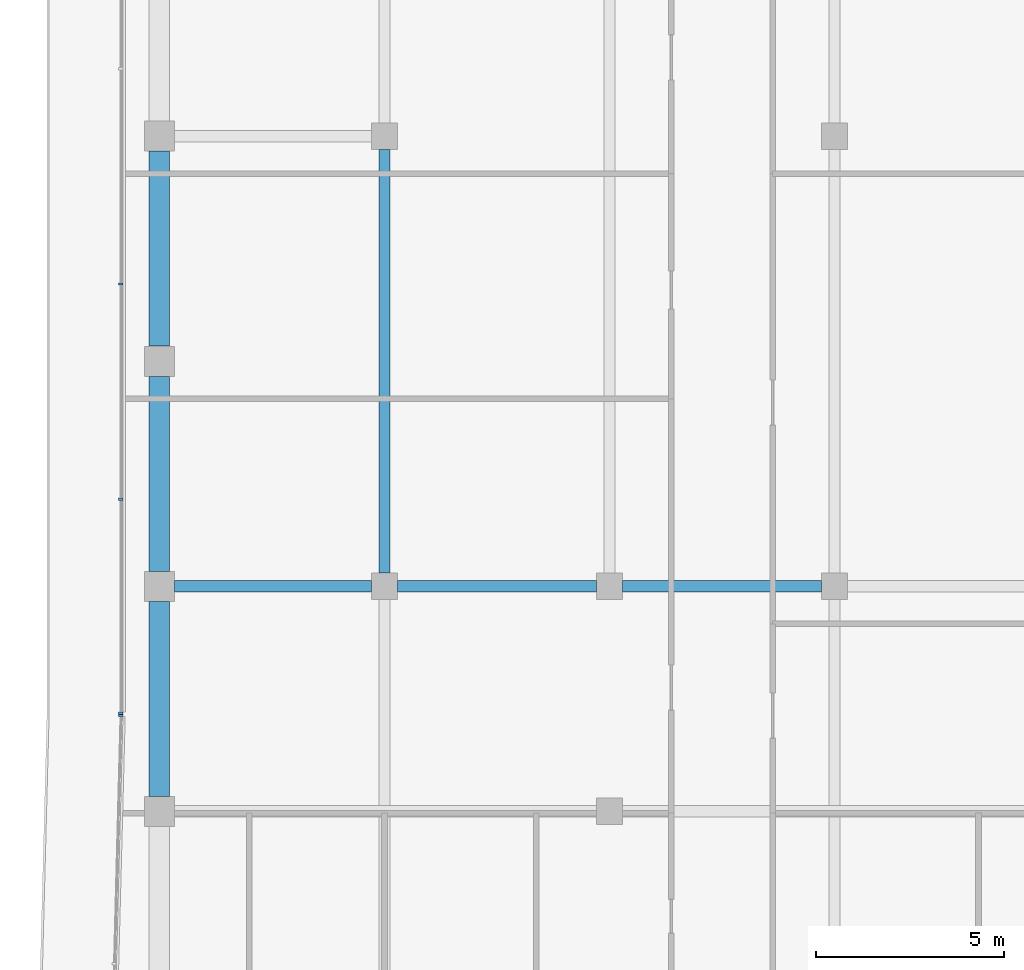
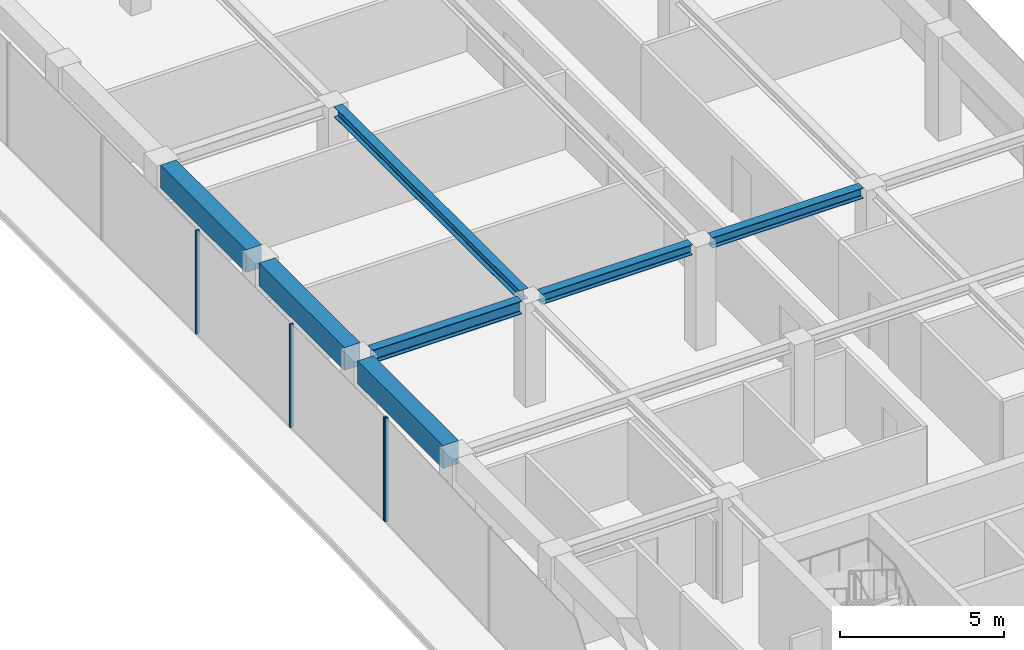
# One storey, part 7 of 19: 7 beams, 4 members, 2 elements without a shape of their own.
"""IFC4 building model written with IfcOpenShell, lengths in metres."""

import ifcopenshell
import ifcopenshell.guid

model = None  # the IFC model being written
_history = None  # IfcOwnerHistory: only IFC2X3 demands one
_inside = {}  # id of a spatial element -> (the spatial element, [elements in it])
_under = {}  # id of a project, library or spatial element -> (it, [spatial elements below it])
_declared = {}  # id of a project -> (the project, [libraries it declares])
_typed = {}  # id of a type object -> (the type object, [elements of that type])
_made_of = {}  # id of a material, layer set ... -> (it, [elements and type objects made of it])


def new_model(schema):
    """Start an empty IFC model of exactly this schema.

    Asked for "IFC4X3", IfcOpenShell would pick the latest addendum, in which some entities
    have other attributes; the version numbers below select the first issue.
    IFC2X3 requires an IfcOwnerHistory on every rooted entity: one is made here for all.
    """
    global model, _history
    if schema == "IFC4X3":
        model = ifcopenshell.file(schema_version=(4, 3, 0, 0))
    else:
        model = ifcopenshell.file(schema=schema)
    _inside.clear()
    _under.clear()
    _declared.clear()
    _typed.clear()
    _made_of.clear()
    _history = None
    if model.schema == "IFC2X3":
        org = make("IfcOrganization", Name="unknown")
        user = make(
            "IfcPersonAndOrganization",
            ThePerson=make("IfcPerson", FamilyName="unknown"),
            TheOrganization=org,
        )
        app = make(
            "IfcApplication",
            ApplicationDeveloper=org,
            Version="unknown",
            ApplicationFullName="unknown",
            ApplicationIdentifier="unknown",
        )
        _history = make(
            "IfcOwnerHistory",
            OwningUser=user,
            OwningApplication=app,
            ChangeAction="ADDED",
            CreationDate=0,
        )
    return model


def make(cls, **values):
    """One entity of the class cls with the attributes given. An attribute that is None is left unset."""
    return model.create_entity(
        cls, **{name: value for name, value in values.items() if value is not None}
    )


def rooted(cls, **values):
    """An entity with a GlobalId (a new one), such as an element, a storey or a relation."""
    return make(cls, GlobalId=ifcopenshell.guid.new(), OwnerHistory=_history, **values)


def si_unit(unit_type, name, prefix=None):
    """IfcSIUnit, for example si_unit("LENGTHUNIT", "METRE", prefix="MILLI")."""
    return make("IfcSIUnit", UnitType=unit_type, Prefix=prefix, Name=name)


def assignment(units):
    """IfcUnitAssignment: the units of a project."""
    return None if units is None else make("IfcUnitAssignment", Units=units)


def point(xyz):
    """IfcCartesianPoint."""
    return None if xyz is None else make("IfcCartesianPoint", Coordinates=xyz)


def direction(xyz):
    """IfcDirection."""
    return None if xyz is None else make("IfcDirection", DirectionRatios=xyz)


def frame(location, z_axis=None, x_axis=None):
    """IfcAxis2Placement3D, a coordinate frame: its origin and axes. An axis left out is left unset."""
    return make(
        "IfcAxis2Placement3D",
        Location=point(location),
        Axis=direction(z_axis),
        RefDirection=direction(x_axis),
    )


def frame_2d(location, x_axis=None):
    """IfcAxis2Placement2D, a coordinate frame in the plane: its origin and x axis."""
    return make(
        "IfcAxis2Placement2D", Location=point(location), RefDirection=direction(x_axis)
    )


def origin():
    """The frame at (0, 0, 0) with its axes left unset."""
    return frame((0.0, 0.0, 0.0))


def origin_2d():
    """The frame at (0, 0) in the plane with its x axis left unset."""
    return frame_2d((0.0, 0.0))


def place(relative_to, where):
    """IfcLocalPlacement: puts the frame where relative to a parent placement (None: the world)."""
    return make(
        "IfcLocalPlacement", PlacementRelTo=relative_to, RelativePlacement=where
    )


def context(
    kind, dimensions, precision=None, world=None, true_north=None, identifier=None
):
    """IfcGeometricRepresentationContext, for example the 3D "Model" context."""
    return make(
        "IfcGeometricRepresentationContext",
        ContextIdentifier=identifier,
        ContextType=kind,
        CoordinateSpaceDimension=dimensions,
        Precision=precision,
        WorldCoordinateSystem=world,
        TrueNorth=true_north,
    )


def subcontext(parent, identifier, kind, view, scale=None):
    """IfcGeometricRepresentationSubContext, for example "Body" below "Model"."""
    return make(
        "IfcGeometricRepresentationSubContext",
        ContextIdentifier=identifier,
        ContextType=kind,
        ParentContext=parent,
        TargetScale=scale,
        TargetView=view,
    )


def project(units=None, contexts=None):
    """IfcProject with its units and contexts."""
    return rooted(
        "IfcProject",
        Name="project",
        RepresentationContexts=contexts,
        UnitsInContext=assignment(units),
    )


def spatial(cls, under=None, at=None, **own):
    """A site, building, storey or space (cls), placed at a placement, below another one or the project."""
    s = rooted(cls, ObjectPlacement=at, **own)
    if under is not None:
        _under.setdefault(under.id(), (under, []))[1].append(s)
    return s


def profile(cls, at=None, kind="AREA", **sizes):
    """A parametric profile (cls). Its sizes go by their IFC names, for example OverallWidth=200.0."""
    return make(cls, ProfileType=kind, Position=at, **sizes)


def rectangle(**sizes):
    """IfcRectangleProfileDef."""
    return profile("IfcRectangleProfileDef", **sizes)


def i_section(**sizes):
    """IfcIShapeProfileDef."""
    return profile("IfcIShapeProfileDef", **sizes)


def extrude(swept, where, along, depth):
    """IfcExtrudedAreaSolid: the profile swept, set in the frame where, extruded along a direction by depth."""
    return make(
        "IfcExtrudedAreaSolid",
        SweptArea=swept,
        Position=where,
        ExtrudedDirection=direction(along),
        Depth=depth,
    )


def shape(context_of_items, identifier, shape_type, items):
    """IfcShapeRepresentation: the items that make up one representation, for example the "Body"."""
    return make(
        "IfcShapeRepresentation",
        ContextOfItems=context_of_items,
        RepresentationIdentifier=identifier,
        RepresentationType=shape_type,
        Items=items,
    )


def material(Name=None, Category=None):
    """IfcMaterial."""
    return make("IfcMaterial", Name=Name, Category=Category)


def layer(
    of_material, thickness, ventilated=None, Name=None, Category=None, Priority=None
):
    """IfcMaterialLayer: one layer of a wall or slab, of a material (None: an air gap)."""
    return make(
        "IfcMaterialLayer",
        Material=of_material,
        LayerThickness=thickness,
        IsVentilated=ventilated,
        Name=Name,
        Category=Category,
        Priority=Priority,
    )


def layer_set(layers, Name=None):
    """IfcMaterialLayerSet."""
    return make("IfcMaterialLayerSet", MaterialLayers=layers, LayerSetName=Name)


def material_profile(
    of_material, cross_section, Name=None, Category=None, Priority=None
):
    """IfcMaterialProfile: a cross section and its material."""
    return make(
        "IfcMaterialProfile",
        Name=Name,
        Material=of_material,
        Profile=cross_section,
        Priority=Priority,
        Category=Category,
    )


def profile_set(profiles, Name=None, composite=None):
    """IfcMaterialProfileSet."""
    return make(
        "IfcMaterialProfileSet",
        Name=Name,
        MaterialProfiles=profiles,
        CompositeProfile=composite,
    )


def made_of(thing, what):
    """Note that an element or type object is made of a material, layer set ...; save() writes the relation."""
    if what is not None:
        _made_of.setdefault(what.id(), (what, []))[1].append(thing)
    return thing


def type_object(cls, material=None, **own):
    """A type object (cls), such as IfcWallType, which elements share."""
    return made_of(rooted(cls, **own), material)


def element(
    cls,
    number,
    at=None,
    inside=None,
    cuts=None,
    type_object=None,
    material=None,
    context=None,
    identifier="Body",
    shape_type=None,
    held_by="IfcProductDefinitionShape",
    body=None,
    shapes=None,
    **own,
):
    """One element of the class cls, such as IfcWall. Its Tag is "e" and its number.

    at: its placement. inside: the storey or other place that contains it. cuts: it is an
    opening in that element (IfcRelVoidsElement). A single representation is given by context,
    identifier, shape_type and body (its items); several are given by shapes. held_by: the class
    of the entity that holds the representations. save() writes the other relations.
    """
    e = rooted(cls, Tag="e%d" % number, ObjectPlacement=at, **own)
    if body is not None:
        shapes = [shape(context, identifier, shape_type, body)]
    if shapes is not None:
        e.Representation = make(held_by, Representations=shapes)
    if inside is not None:
        _inside.setdefault(inside.id(), (inside, []))[1].append(e)
    if cuts is not None:
        rooted(
            "IfcRelVoidsElement", RelatingBuildingElement=cuts, RelatedOpeningElement=e
        )
    if type_object is not None:
        _typed.setdefault(type_object.id(), (type_object, []))[1].append(e)
    return made_of(e, material)


def aggregate(whole, parts):
    """IfcRelAggregates: a whole, such as a stair, and the parts it consists of."""
    return rooted("IfcRelAggregates", RelatingObject=whole, RelatedObjects=parts)


def save(model, path):
    """Write the relations noted so far, then the file.

    IfcRelAggregates (storeys below a building ...), IfcRelContainedInSpatialStructure (elements
    in a storey), IfcRelDefinesByType, IfcRelAssociatesMaterial and IfcRelDeclares: one each for
    every whole, place, type object, material and project.
    """
    for whole, parts in _under.values():
        aggregate(whole, parts)
    for where, things in _inside.values():
        rooted(
            "IfcRelContainedInSpatialStructure",
            RelatedElements=things,
            RelatingStructure=where,
        )
    for kind, things in _typed.values():
        rooted("IfcRelDefinesByType", RelatedObjects=things, RelatingType=kind)
    for what, things in _made_of.values():
        rooted("IfcRelAssociatesMaterial", RelatedObjects=things, RelatingMaterial=what)
    for by, libraries in _declared.values():
        rooted("IfcRelDeclares", RelatingContext=by, RelatedDefinitions=libraries)
    model.write(path)


model = new_model("IFC4")

# Units and contexts
model_context = context("Model", 3, precision=1e-05, world=origin(), true_north=direction((0.0, 1.0)))
body_context = subcontext(model_context, "Body", "Model", "MODEL_VIEW")
ifc_project = project(units=[si_unit("LENGTHUNIT", "METRE"), si_unit("AREAUNIT", "SQUARE_METRE"), si_unit("VOLUMEUNIT", "CUBIC_METRE"), si_unit("PLANEANGLEUNIT", "RADIAN"), si_unit("MASSUNIT", "GRAM", prefix="KILO")], contexts=[model_context])

# Site, building, storey
site_placement = place(None, origin())
site = spatial("IfcSite", under=ifc_project, at=site_placement, CompositionType="ELEMENT")
building_placement = place(site_placement, origin())
building = spatial("IfcBuilding", under=site, at=building_placement, Name="Welwitschia Terrace Campus", CompositionType="ELEMENT")
storey_placement = place(building_placement, frame((0.0, 0.0, 234.800048828125)))
storey = spatial("IfcBuildingStorey", under=building, at=storey_placement, Name="L52", CompositionType="ELEMENT", Elevation=234.800048828125)

# Beams
ifc_material_1 = material(Name="Steel S355", Category="steel")
ifc_material_profile_1 = material_profile(ifc_material_1, i_section(OverallWidth=0.300048828125, OverallDepth=0.389892578125, WebThickness=0.010986328125, FlangeThickness=0.01904296875, FilletRadius=0.027099609375, at=origin_2d()))
ifc_profile_set_1 = profile_set([ifc_material_profile_1], Name="Steel S355")
beam_type_1 = type_object("IfcBeamType", Name="Interior girder HE 400 A", PredefinedType="BEAM", material=ifc_profile_set_1)
for number, where, z_axis, x_axis, name in (
    (1, (6.3505859375, 40.0, 3.655029296875), (1.0, 0.0, 0.0), (0.0, 1.0, 0.0), "Girder GB5"),
    (2, (12.3505859375, 40.0, 3.655029296875), (1.0, 0.0, 0.0), (0.0, 1.0, 0.0), "Girder GB5"),
):
    element("IfcBeam", number, at=place(storey_placement, frame(where, z_axis=z_axis, x_axis=x_axis)), inside=storey, type_object=beam_type_1, Name=name, PredefinedType="BEAM", context=body_context, shape_type="SweptSolid", body=[
        extrude(i_section(OverallWidth=0.300048828125, OverallDepth=0.389892578125, WebThickness=0.010986328125, FlangeThickness=0.01904296875, FilletRadius=0.027099609375, at=origin_2d()), origin(), (0.0, 0.0, 1.0), 5.298828125),
    ])
beam_1_placement = place(storey_placement, frame((6.0, 40.3505859375, 3.655029296875), z_axis=(0.0, 1.0, 0.0), x_axis=(-1.0, 0.0, 0.0)))
element("IfcBeam", 3, at=beam_1_placement, inside=storey, type_object=beam_type_1, Name="Girder GB5", PredefinedType="BEAM", context=body_context, shape_type="SweptSolid", body=[
    extrude(i_section(OverallWidth=0.300048828125, OverallDepth=0.389892578125, WebThickness=0.010986328125, FlangeThickness=0.01904296875, FilletRadius=0.027099609375, at=origin_2d()), origin(), (0.0, 0.0, 1.0), 11.298828125),
])

# Curtain wall, members
ifc_material_2 = material(Name="Bronze anodised aluminium", Category="aluminium")
ifc_layer = layer(ifc_material_2, 0.1201171875)
ifc_layer_set = layer_set([ifc_layer], Name="Bronze anodised aluminium")
curtain_wall_type = type_object("IfcCurtainWallType", Name="Curtain wall CW2 tower 6000", PredefinedType="NOTDEFINED", material=ifc_layer_set)
curtain_wall_1_placement = place(storey_placement, origin())
curtain_wall_1 = element("IfcCurtainWall", 4, at=curtain_wall_1_placement, inside=storey, type_object=curtain_wall_type, Name="CW L52.0.0", PredefinedType="NOTDEFINED")
ifc_material_3 = material(Name="Bronze anodised aluminium", Category="aluminium")
ifc_material_profile_2 = material_profile(ifc_material_3, rectangle(XDim=0.1201171875, YDim=0.06005859375, at=origin_2d()))
ifc_profile_set_2 = profile_set([ifc_material_profile_2], Name="Bronze anodised aluminium")
member_type = type_object("IfcMemberType", Name="Mullion 60x120", PredefinedType="MULLION", material=ifc_profile_set_2)
member_1_placement = place(storey_placement, frame((-1.030029296875, 48.06298828125, 0.0), z_axis=(0.0, 0.0, 1.0), x_axis=(1.0, 0.0, 0.0)))
member_1 = element("IfcMember", 5, at=member_1_placement, type_object=member_type, Name="Mullion L52.0.0.4", PredefinedType="MULLION", context=body_context, shape_type="SweptSolid", body=[
    extrude(rectangle(XDim=0.1201171875, YDim=0.06005859375, at=origin_2d()), origin(), (0.0, 0.0, 1.0), 3.849853515625),
])
member_2_placement = place(storey_placement, frame((-1.030029296875, 42.32373046875, 0.0), z_axis=(0.0, 0.0, 1.0), x_axis=(1.0, 0.0, 0.0)))
member_2 = element("IfcMember", 6, at=member_2_placement, type_object=member_type, Name="Mullion L52.0.0.5", PredefinedType="MULLION", context=body_context, shape_type="SweptSolid", body=[
    extrude(rectangle(XDim=0.1201171875, YDim=0.06005859375, at=origin_2d()), origin(), (0.0, 0.0, 1.0), 3.849853515625),
])
member_3_placement = place(storey_placement, frame((-1.030029296875, 36.614501953125, 0.0), z_axis=(0.0, 0.0, 1.0), x_axis=(1.0, 0.0, 0.0)))
member_3 = element("IfcMember", 7, at=member_3_placement, type_object=member_type, Name="Mullion L52.0.0.6", PredefinedType="MULLION", context=body_context, shape_type="SweptSolid", body=[
    extrude(rectangle(XDim=0.1201171875, YDim=0.06005859375, at=origin_2d()), origin(), (0.0, 0.0, 1.0), 3.849853515625),
])
aggregate(curtain_wall_1, [member_1, member_2, member_3])

# Curtain wall, member
curtain_wall_2_placement = place(storey_placement, origin())
curtain_wall_2 = element("IfcCurtainWall", 8, at=curtain_wall_2_placement, inside=storey, type_object=curtain_wall_type, Name="CW L52.1.0", PredefinedType="NOTDEFINED")
member_4_placement = place(storey_placement, frame((-1.03076171875, 36.554443359375, 0.0), z_axis=(0.0, 0.0, 1.0), x_axis=(0.999657324976, -0.026176948308, 0.0)))
member_4 = element("IfcMember", 9, at=member_4_placement, type_object=member_type, Name="Mullion L52.1.0.0", PredefinedType="MULLION", context=body_context, shape_type="SweptSolid", body=[
    extrude(rectangle(XDim=0.1201171875, YDim=0.06005859375, at=origin_2d()), origin(), (0.0, 0.0, 1.0), 3.849853515625),
])
aggregate(curtain_wall_2, [member_4])

# Beams
ifc_material_4 = material(Name="Steel S355", Category="steel")
ifc_material_profile_3 = material_profile(ifc_material_4, i_section(OverallWidth=0.300048828125, OverallDepth=0.489990234375, WebThickness=0.011962890625, FlangeThickness=0.02294921875, FilletRadius=0.027099609375, at=origin_2d()))
ifc_profile_set_3 = profile_set([ifc_material_profile_3], Name="Steel S355")
beam_type_2 = type_object("IfcBeamType", Name="Primary beam HE 500 A", PredefinedType="BEAM", material=ifc_profile_set_3)
beam_2_placement = place(storey_placement, frame((0.400390625, 40.0, 3.60498046875), z_axis=(1.0, 0.0, 0.0), x_axis=(0.0, 1.0, 0.0)))
element("IfcBeam", 10, at=beam_2_placement, inside=storey, type_object=beam_type_2, Name="Primary beam PB5", PredefinedType="BEAM", context=body_context, shape_type="SweptSolid", body=[
    extrude(i_section(OverallWidth=0.300048828125, OverallDepth=0.489990234375, WebThickness=0.011962890625, FlangeThickness=0.02294921875, FilletRadius=0.027099609375, at=origin_2d()), origin(), (0.0, 0.0, 1.0), 5.2490234375),
])
ifc_material_5 = material(Name="Concrete C50/60", Category="concrete")
ifc_material_profile_4 = material_profile(ifc_material_5, rectangle(XDim=0.550048828125, YDim=0.85009765625, at=origin_2d()))
ifc_profile_set_4 = profile_set([ifc_material_profile_4], Name="Concrete C50/60")
beam_type_3 = type_object("IfcBeamType", Name="Ring spandrel 550x850", PredefinedType="SPANDREL", material=ifc_profile_set_4)
for number, where, z_axis, x_axis, name in (
    (11, (0.0, 51.599609375, 3.425048828125), (0.0, -1.0, 0.0), (1.0, 0.0, 0.0), "Spandrel SP3"),
    (12, (0.0, 45.599609375, 3.425048828125), (0.0, -1.0, 0.0), (1.0, 0.0, 0.0), "Spandrel SP3"),
    (13, (0.0, 39.599609375, 3.425048828125), (0.0, -1.0, 0.0), (1.0, 0.0, 0.0), "Spandrel SP3"),
):
    element("IfcBeam", number, at=place(storey_placement, frame(where, z_axis=z_axis, x_axis=x_axis)), inside=storey, type_object=beam_type_3, Name=name, PredefinedType="SPANDREL", context=body_context, shape_type="SweptSolid", body=[
        extrude(rectangle(XDim=0.550048828125, YDim=0.85009765625, at=origin_2d()), origin(), (0.0, 0.0, 1.0), 5.19921875),
    ])

save(model, "model.ifc")
